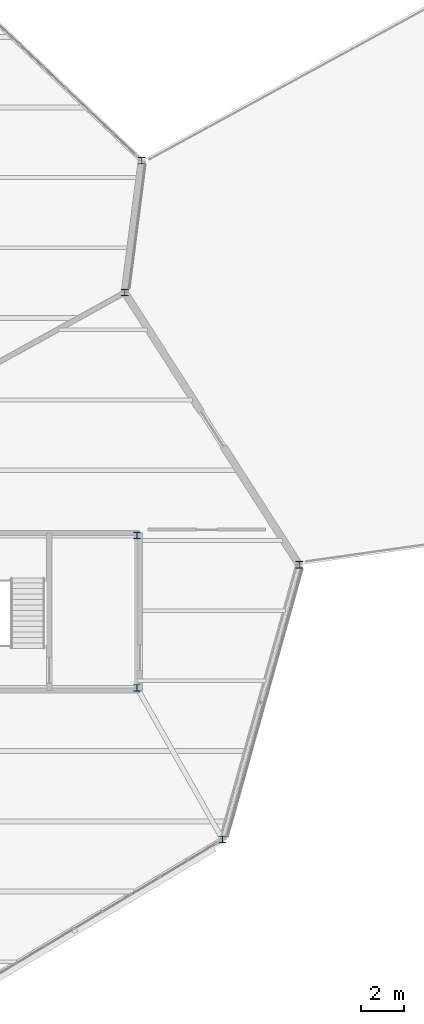
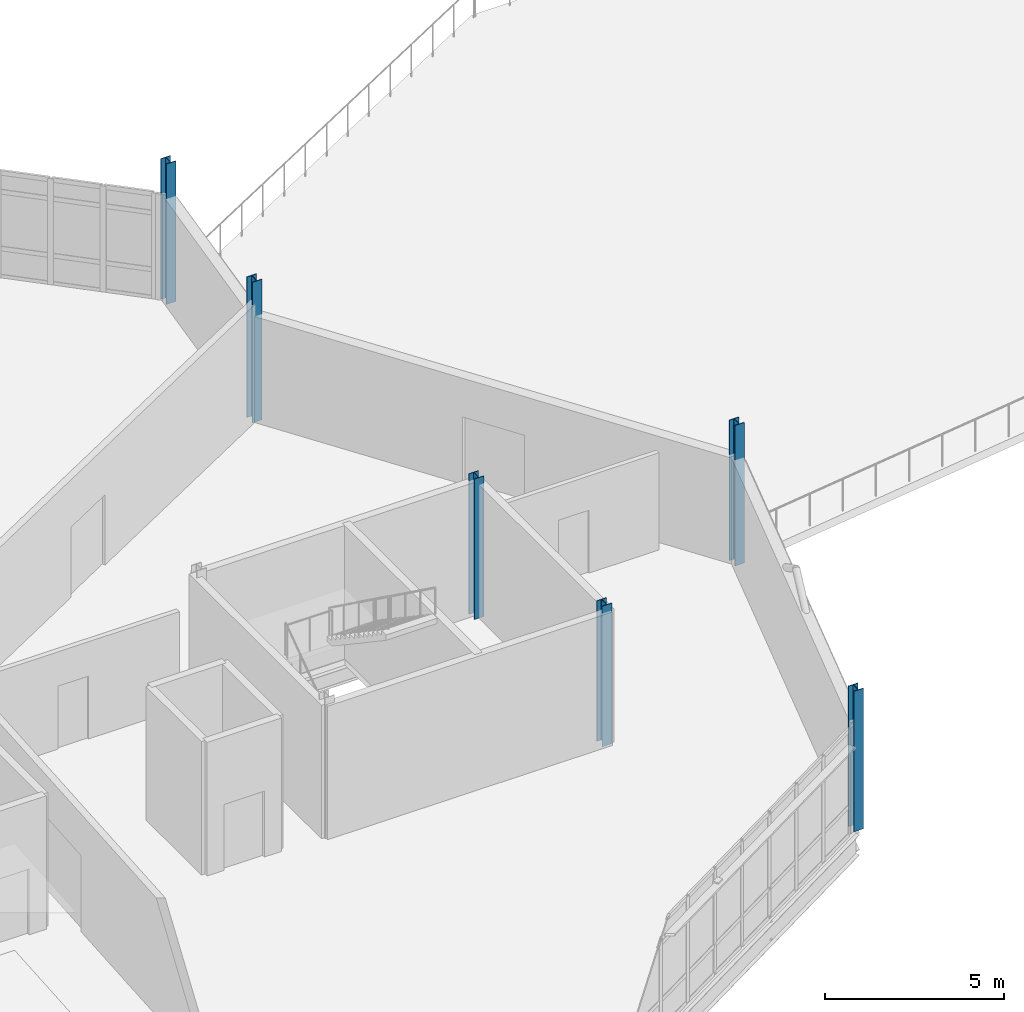
# One storey, part 13 of 76: 6 columns.
"""IFC4 building model written with IfcOpenShell, lengths in metres."""

from ifc_helpers import new_model, si_unit, direction, frame, origin, origin_2d, place, context, subcontext, project, spatial, i_section, extrude, material, material_profile, profile_set, type_object, element, save


model = new_model("IFC4")

# Units and contexts
model_context = context("Model", 3, precision=1e-05, world=origin(), true_north=direction((0.0, 1.0)))
body_context = subcontext(model_context, "Body", "Model", "MODEL_VIEW")
ifc_project = project(units=[si_unit("LENGTHUNIT", "METRE"), si_unit("AREAUNIT", "SQUARE_METRE"), si_unit("VOLUMEUNIT", "CUBIC_METRE"), si_unit("PLANEANGLEUNIT", "RADIAN"), si_unit("MASSUNIT", "GRAM", prefix="KILO")], contexts=[model_context])

# Site, building, storey
site_placement = place(None, origin())
site = spatial("IfcSite", under=ifc_project, at=site_placement, CompositionType="ELEMENT")
building_placement = place(site_placement, origin())
building = spatial("IfcBuilding", under=site, at=building_placement, Name="Tameran Prism Museum", CompositionType="ELEMENT")
storey_placement = place(building_placement, frame((0.0, 0.0, 15.0)))
storey = spatial("IfcBuildingStorey", under=building, at=storey_placement, Name="L03", CompositionType="ELEMENT", Elevation=15.0)

# Columns
ifc_material = material(Name="Steel Grade 350 (350 MPa)", Category="steel")
ifc_material_profile = material_profile(ifc_material, i_section(OverallWidth=0.30908203125, OverallDepth=0.321044921875, WebThickness=0.013916015625, FlangeThickness=0.021728515625, FilletRadius=0.0166015625, at=origin_2d()))
ifc_profile_set = profile_set([ifc_material_profile])
column_type = type_object("IfcColumnType", Name="COL-UC310B", PredefinedType="COLUMN", material=ifc_profile_set)
for number, where, z_axis, x_axis, name in (
    (1, (134.89990234375, 98.0, 0.0), (0.0, 0.0, 1.0), (1.0, 0.0, 0.0), "Column CV-54 L03"),
    (2, (135.699951171875, 104.199951171875, 0.0), (0.0, 0.0, 1.0), (1.0, 0.0, 0.0), "Column CV-55 L03"),
    (3, (139.5, 72.300048828125, 0.0), (0.0, 0.0, 1.0), (1.0, 0.0, 0.0), "Column CV-57 L03"),
    (4, (143.10009765625, 85.199951171875, 0.0), (0.0, 0.0, 1.0), (1.0, 0.0, 0.0), "Column CV-60 L03"),
    (5, (135.47998046875, 79.419921875, 0.0), (0.0, 0.0, 1.0), (1.0, 0.0, 0.0), "Column CC-2-2 L03"),
    (6, (135.47998046875, 86.580078125, 0.0), (0.0, 0.0, 1.0), (1.0, 0.0, 0.0), "Column CC-2-3 L03"),
):
    element("IfcColumn", number, at=place(storey_placement, frame(where, z_axis=z_axis, x_axis=x_axis)), inside=storey, type_object=column_type, Name=name, PredefinedType="COLUMN", context=body_context, shape_type="SweptSolid", body=[
        extrude(i_section(OverallWidth=0.30908203125, OverallDepth=0.321044921875, WebThickness=0.013916015625, FlangeThickness=0.021728515625, FilletRadius=0.0166015625, at=origin_2d()), origin(), (0.0, 0.0, 1.0), 4.800048828125),
    ])

save(model, "model.ifc")
